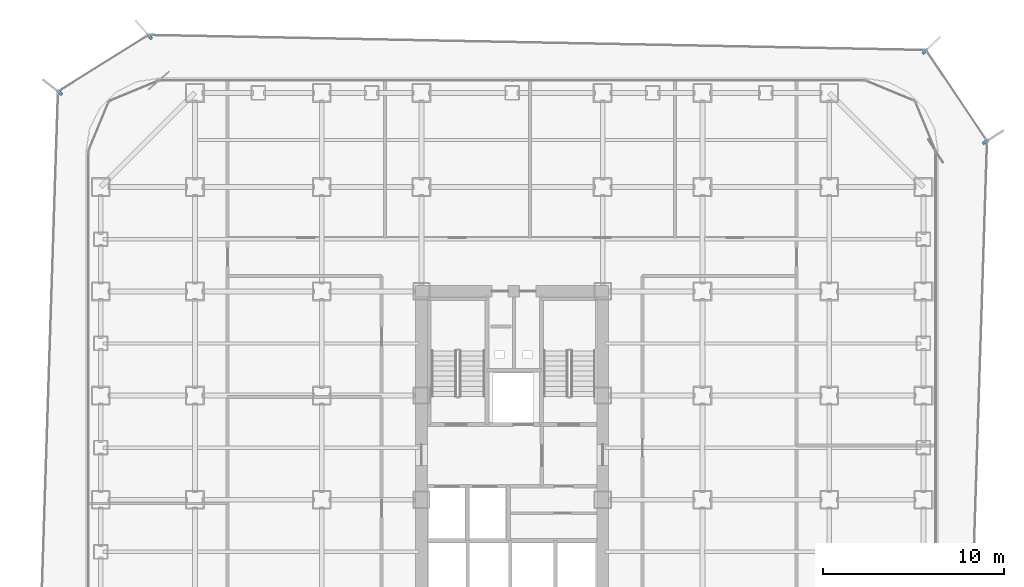
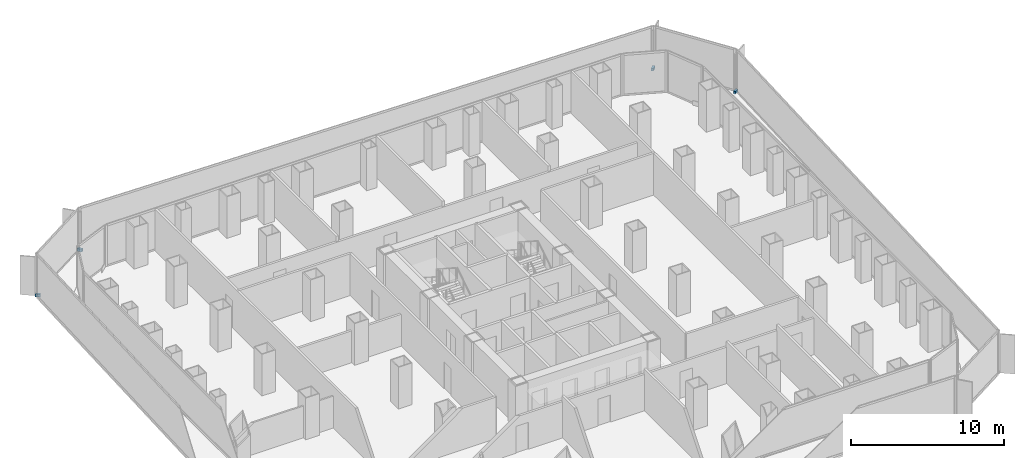
# One storey, part 19 of 22: 4 discrete accessories.
"""IFC4 building model written with IfcOpenShell, lengths in metres."""

from ifc_helpers import new_model, si_unit, direction, frame, origin, origin_2d, place, context, subcontext, project, spatial, rectangle, extrude, source, transform, mapped, material, type_object, element, save


model = new_model("IFC4")

# Units and contexts
model_context = context("Model", 3, precision=1e-05, world=origin(), true_north=direction((0.0, 1.0)))
body_context = subcontext(model_context, "Body", "Model", "MODEL_VIEW")
ifc_project = project(units=[si_unit("LENGTHUNIT", "METRE"), si_unit("AREAUNIT", "SQUARE_METRE"), si_unit("VOLUMEUNIT", "CUBIC_METRE"), si_unit("PLANEANGLEUNIT", "RADIAN"), si_unit("MASSUNIT", "GRAM", prefix="KILO")], contexts=[model_context])

# Site, building, storey
site_placement = place(None, origin())
site = spatial("IfcSite", under=ifc_project, at=site_placement, CompositionType="ELEMENT")
building_placement = place(site_placement, origin())
building = spatial("IfcBuilding", under=site, at=building_placement, Name="Kolveth Station Tower", CompositionType="ELEMENT")
storey_placement = place(building_placement, frame((0.0, 0.0, 69.300048828125)))
storey = spatial("IfcBuildingStorey", under=building, at=storey_placement, Name="L18", CompositionType="ELEMENT", Elevation=69.300048828125)

# Discrete accessories
ifc_material = material(Name="Steel S355", Category="steel")
discrete_accessory_type = type_object("IfcDiscreteAccessoryType", Name="Bracket_BK1", PredefinedType="BRACKET", material=ifc_material)
shared_shape = source(origin(), body_context, "Body", "SweptSolid", [
    extrude(rectangle(XDim=0.35009765625, YDim=0.159912109375, at=origin_2d()), origin(), (0.0, 0.0, 1.0), 0.219970703125),
])
for number, where, z_axis, x_axis, name in (
    (1, (49.633056640625, 36.9970703125, -0.06005859375), (0.0, 0.0, 1.0), (0.841981910079, 0.539505758171, 0.0), "L18 Double-Skin Radial Tie Bracket 3"),
    (2, (46.282958984375, 41.989013671875, -0.06005859375), (0.0, 0.0, 1.0), (0.7234492966, 0.690377516471, 0.0), "L18 Double-Skin Radial Tie Bracket 4"),
    (3, (3.498046875, 42.81396484375, -0.06005859375), (0.0, 0.0, 1.0), (-0.663403989347, 0.748261416163, 0.0), "L18 Double-Skin Radial Tie Bracket 5"),
    (4, (-1.469970703125, 39.714111328125, -0.06005859375), (0.0, 0.0, 1.0), (-0.788655040603, 0.614835934971, 0.0), "L18 Double-Skin Radial Tie Bracket 6"),
):
    element("IfcDiscreteAccessory", number, at=place(storey_placement, frame(where, z_axis=z_axis, x_axis=x_axis)), inside=storey, type_object=discrete_accessory_type, Name=name, PredefinedType="BRACKET", context=body_context, shape_type="MappedRepresentation", body=[
        mapped(shared_shape, transform((0.0, 0.0, 0.0), x_axis=(1.0, 0.0, 0.0), y_axis=(0.0, 1.0, 0.0), z_axis=(0.0, 0.0, 1.0), scale=1.0)),
    ])

save(model, "model.ifc")
